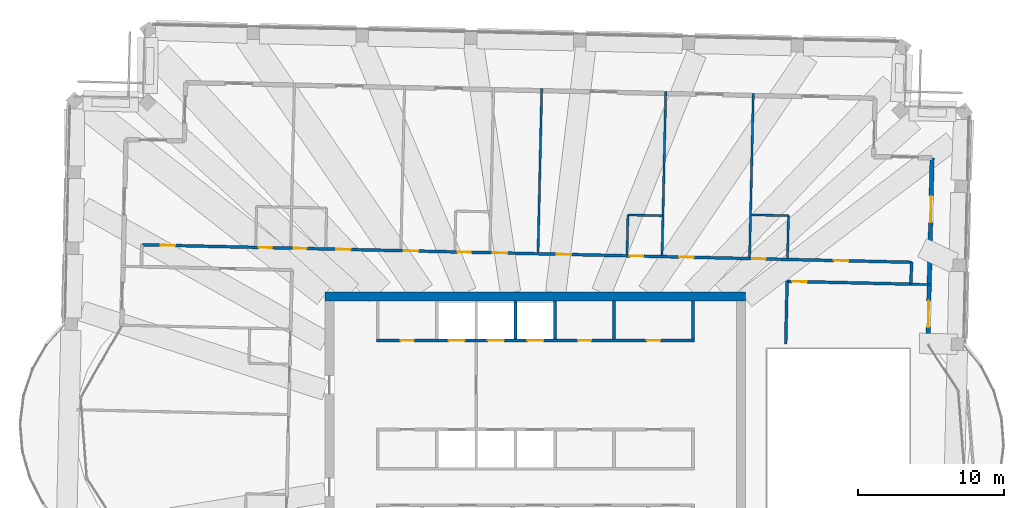
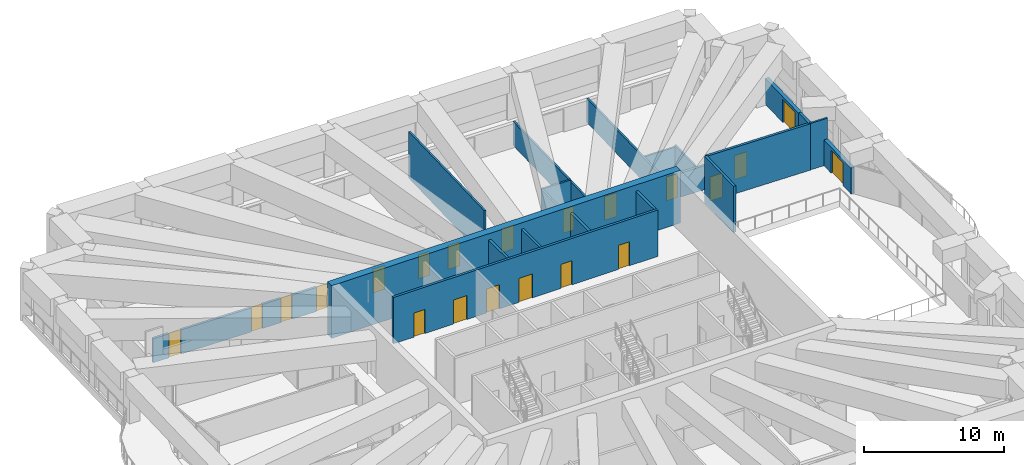
# One storey, part 13 of 21: 21 doors, 19 walls, 21 openings.
"""IFC4 building model written with IfcOpenShell, lengths in metres."""

from ifc_helpers import new_model, si_unit, direction, frame, frame_2d, origin, place, context, subcontext, project, spatial, rectangle, extrude, material, layer, layer_set, type_object, element, fill, save


model = new_model("IFC4")

# Units and contexts
model_context = context("Model", 3, precision=1e-05, world=origin(), true_north=direction((0.0, 1.0)))
body_context = subcontext(model_context, "Body", "Model", "MODEL_VIEW")
ifc_project = project(units=[si_unit("LENGTHUNIT", "METRE"), si_unit("AREAUNIT", "SQUARE_METRE"), si_unit("VOLUMEUNIT", "CUBIC_METRE"), si_unit("PLANEANGLEUNIT", "RADIAN"), si_unit("MASSUNIT", "GRAM", prefix="KILO")], contexts=[model_context])

# Site, building, storey
site_placement = place(None, origin())
site = spatial("IfcSite", under=ifc_project, at=site_placement, CompositionType="ELEMENT")
building_placement = place(site_placement, origin())
building = spatial("IfcBuilding", under=site, at=building_placement, Name="Mangrove Gate Tower", CompositionType="ELEMENT")
storey_placement = place(building_placement, frame((0.0, 0.0, 329.699951171875)))
storey = spatial("IfcBuildingStorey", under=building, at=storey_placement, Name="L84", CompositionType="ELEMENT", Elevation=329.699951171875)

# Walls
ifc_material_1 = material(Name="Concrete C32/40", Category="concrete")
ifc_layer_1 = layer(ifc_material_1, 0.199951171875)
ifc_layer_set_1 = layer_set([ifc_layer_1], Name="Core room wall 200 C32/40")
wall_type_1 = type_object("IfcWallType", Name="Core room wall 200 C32/40", PredefinedType="STANDARD", material=ifc_layer_set_1)
for number, where, z_axis, x_axis, name in (
    (1, (5.39990234375, 8.199951171875, 0.0), (0.0, 0.0, 1.0), (0.0, 1.0, 0.0), "WALL-L84-CORE-31"),
    (2, (10.800048828125, 8.199951171875, 0.0), (0.0, 0.0, 1.0), (0.0, 1.0, 0.0), "WALL-L84-CORE-32"),
):
    element("IfcWall", number, at=place(storey_placement, frame(where, z_axis=z_axis, x_axis=x_axis)), inside=storey, type_object=wall_type_1, Name=name, PredefinedType="STANDARD", context=body_context, shape_type="SweptSolid", body=[
        extrude(rectangle(XDim=2.60009765625, YDim=0.199951171875, at=frame_2d((1.300048828125, 0.0))), origin(), (0.0, 0.0, 1.0), 4.050048828125),
    ])

# Wall, openings, doors
ifc_material_2 = material(Name="Concrete C50/60", Category="concrete")
ifc_layer_2 = layer(ifc_material_2, 0.199951171875)
ifc_layer_set_2 = layer_set([ifc_layer_2], Name="Core shaft wall 200 C50/60")
wall_type_2 = type_object("IfcWallType", Name="Core shaft wall 200 C50/60", PredefinedType="SHEAR", material=ifc_layer_set_2)
wall_1_placement = place(storey_placement, frame((-10.89990234375, 8.10009765625, 0.0), z_axis=(0.0, 0.0, 1.0), x_axis=(1.0, 0.0, 0.0)))
wall_1 = element("IfcWall", 3, at=wall_1_placement, inside=storey, type_object=wall_type_2, Name="WALL-L84-CORE-8", PredefinedType="SHEAR", context=body_context, shape_type="SweptSolid", body=[
    extrude(rectangle(XDim=21.7998046875, YDim=0.199951171875, at=frame_2d((10.89990234375, 0.0))), origin(), (0.0, 0.0, 1.0), 4.050048828125),
])
opening_1_placement = place(wall_1_placement, frame((4.949951171875, 0.0, 0.0)))
opening_1 = element("IfcOpeningElement", 4, at=opening_1_placement, cuts=wall_1, Name="Opening LD", PredefinedType="OPENING", context=body_context, shape_type="SweptSolid", body=[
    extrude(rectangle(XDim=1.10009765625, YDim=2.10009765625, at=frame_2d((0.550048828125, 1.050048828125))), frame((0.0, 0.10986328125, 0.0), z_axis=(0.0, -1.0, 0.0), x_axis=(1.0, 0.0, 0.0)), (0.0, 0.0, 1.0), 0.219970703125),
])
opening_2_placement = place(wall_1_placement, frame((7.64990234375, 0.0, 0.0)))
opening_2 = element("IfcOpeningElement", 5, at=opening_2_placement, cuts=wall_1, Name="Opening LD", PredefinedType="OPENING", context=body_context, shape_type="SweptSolid", body=[
    extrude(rectangle(XDim=1.10009765625, YDim=2.10009765625, at=frame_2d((0.550048828125, 1.050048828125))), frame((0.0, 0.10986328125, 0.0), z_axis=(0.0, -1.0, 0.0), x_axis=(1.0, 0.0, 0.0)), (0.0, 0.0, 1.0), 0.219970703125),
])
opening_3_placement = place(wall_1_placement, frame((10.35009765625, 0.0, 0.0)))
opening_3 = element("IfcOpeningElement", 6, at=opening_3_placement, cuts=wall_1, Name="Opening LD", PredefinedType="OPENING", context=body_context, shape_type="SweptSolid", body=[
    extrude(rectangle(XDim=1.10009765625, YDim=2.10009765625, at=frame_2d((0.550048828125, 1.050048828125))), frame((0.0, 0.10986328125, 0.0), z_axis=(0.0, -1.0, 0.0), x_axis=(1.0, 0.0, 0.0)), (0.0, 0.0, 1.0), 0.219970703125),
])
opening_4_placement = place(wall_1_placement, frame((1.675048828125, 0.0, 0.0)))
opening_4 = element("IfcOpeningElement", 7, at=opening_4_placement, cuts=wall_1, Name="Opening RD", PredefinedType="OPENING", context=body_context, shape_type="SweptSolid", body=[
    extrude(rectangle(XDim=0.89990234375, YDim=2.10009765625, at=frame_2d((0.449951171875, 1.050048828125))), frame((0.0, 0.10986328125, 0.0), z_axis=(0.0, -1.0, 0.0), x_axis=(1.0, 0.0, 0.0)), (0.0, 0.0, 1.0), 0.219970703125),
])
opening_5_placement = place(wall_1_placement, frame((13.824951171875, 0.0, 0.0)))
opening_5 = element("IfcOpeningElement", 8, at=opening_5_placement, cuts=wall_1, Name="Opening RD", PredefinedType="OPENING", context=body_context, shape_type="SweptSolid", body=[
    extrude(rectangle(XDim=0.89990234375, YDim=2.10009765625, at=frame_2d((0.449951171875, 1.050048828125))), frame((0.0, 0.10986328125, 0.0), z_axis=(0.0, -1.0, 0.0), x_axis=(1.0, 0.0, 0.0)), (0.0, 0.0, 1.0), 0.219970703125),
])
opening_6_placement = place(wall_1_placement, frame((18.550048828125, 0.0, 0.0)))
opening_6 = element("IfcOpeningElement", 9, at=opening_6_placement, cuts=wall_1, Name="Opening KD", PredefinedType="OPENING", context=body_context, shape_type="SweptSolid", body=[
    extrude(rectangle(XDim=0.89990234375, YDim=2.10009765625, at=frame_2d((0.449951171875, 1.050048828125))), frame((0.0, 0.10986328125, 0.0), z_axis=(0.0, -1.0, 0.0), x_axis=(1.0, 0.0, 0.0)), (0.0, 0.0, 1.0), 0.219970703125),
])
ifc_material_3 = material(Name="Fire-rated steel door set", Category="steel")
door_type_1 = type_object("IfcDoorType", Name="Core room door FD30S 900x2100", OperationType="SINGLE_SWING_RIGHT", PredefinedType="DOOR", material=ifc_material_3)
door_1_placement = place(opening_6_placement, origin())
door_1 = element("IfcDoor", 10, at=door_1_placement, inside=storey, type_object=door_type_1, Name="Core room door Core WC", OperationType="SINGLE_SWING_RIGHT", OverallHeight=2.10009765625, OverallWidth=0.89990234375, PredefinedType="DOOR", context=body_context, shape_type="SweptSolid", body=[
    extrude(rectangle(XDim=0.89990234375, YDim=2.10009765625, at=frame_2d((0.449951171875, 1.050048828125))), frame((0.0, 0.02490234375, 0.0), z_axis=(0.0, -1.0, 0.0), x_axis=(1.0, 0.0, 0.0)), (0.0, 0.0, 1.0), 0.050048828125),
])
fill(opening_6, door_1)
ifc_material_4 = material(Name="Stainless steel 316", Category="steel")
door_type_2 = type_object("IfcDoorType", Name="Lift landing door 1100x2100", OperationType="SLIDING_TO_LEFT", PredefinedType="DOOR", material=ifc_material_4)
door_2_placement = place(opening_1_placement, origin())
door_2 = element("IfcDoor", 11, at=door_2_placement, inside=storey, type_object=door_type_2, Name="Landing door LD H04", OperationType="SLIDING_TO_LEFT", OverallHeight=2.10009765625, OverallWidth=1.10009765625, PredefinedType="DOOR", context=body_context, shape_type="SweptSolid", body=[
    extrude(rectangle(XDim=1.10009765625, YDim=2.10009765625, at=frame_2d((0.550048828125, 1.050048828125))), frame((0.0, 0.02490234375, 0.0), z_axis=(0.0, -1.0, 0.0), x_axis=(1.0, 0.0, 0.0)), (0.0, 0.0, 1.0), 0.050048828125),
])
fill(opening_1, door_2)
door_3_placement = place(opening_2_placement, origin())
door_3 = element("IfcDoor", 12, at=door_3_placement, inside=storey, type_object=door_type_2, Name="Landing door LD H05", OperationType="SLIDING_TO_LEFT", OverallHeight=2.10009765625, OverallWidth=1.10009765625, PredefinedType="DOOR", context=body_context, shape_type="SweptSolid", body=[
    extrude(rectangle(XDim=1.10009765625, YDim=2.10009765625, at=frame_2d((0.550048828125, 1.050048828125))), frame((0.0, 0.02490234375, 0.0), z_axis=(0.0, -1.0, 0.0), x_axis=(1.0, 0.0, 0.0)), (0.0, 0.0, 1.0), 0.050048828125),
])
fill(opening_2, door_3)
door_4_placement = place(opening_3_placement, origin())
door_4 = element("IfcDoor", 13, at=door_4_placement, inside=storey, type_object=door_type_2, Name="Landing door LD H06", OperationType="SLIDING_TO_LEFT", OverallHeight=2.10009765625, OverallWidth=1.10009765625, PredefinedType="DOOR", context=body_context, shape_type="SweptSolid", body=[
    extrude(rectangle(XDim=1.10009765625, YDim=2.10009765625, at=frame_2d((0.550048828125, 1.050048828125))), frame((0.0, 0.02490234375, 0.0), z_axis=(0.0, -1.0, 0.0), x_axis=(1.0, 0.0, 0.0)), (0.0, 0.0, 1.0), 0.050048828125),
])
fill(opening_3, door_4)
ifc_material_5 = material(Name="Fire-rated steel door set", Category="steel")
door_type_3 = type_object("IfcDoorType", Name="Riser door FD30S 900x2100", OperationType="SINGLE_SWING_LEFT", PredefinedType="DOOR", material=ifc_material_5)
door_5_placement = place(opening_4_placement, origin())
door_5 = element("IfcDoor", 14, at=door_5_placement, inside=storey, type_object=door_type_3, Name="Riser door Switch room", OperationType="SINGLE_SWING_LEFT", OverallHeight=2.10009765625, OverallWidth=0.89990234375, PredefinedType="DOOR", context=body_context, shape_type="SweptSolid", body=[
    extrude(rectangle(XDim=0.89990234375, YDim=2.10009765625, at=frame_2d((0.449951171875, 1.050048828125))), frame((0.0, 0.02490234375, 0.0), z_axis=(0.0, -1.0, 0.0), x_axis=(1.0, 0.0, 0.0)), (0.0, 0.0, 1.0), 0.050048828125),
])
fill(opening_4, door_5)
door_6_placement = place(opening_5_placement, origin())
door_6 = element("IfcDoor", 15, at=door_6_placement, inside=storey, type_object=door_type_3, Name="Riser door Comms room", OperationType="SINGLE_SWING_LEFT", OverallHeight=2.10009765625, OverallWidth=0.89990234375, PredefinedType="DOOR", context=body_context, shape_type="SweptSolid", body=[
    extrude(rectangle(XDim=0.89990234375, YDim=2.10009765625, at=frame_2d((0.449951171875, 1.050048828125))), frame((0.0, 0.02490234375, 0.0), z_axis=(0.0, -1.0, 0.0), x_axis=(1.0, 0.0, 0.0)), (0.0, 0.0, 1.0), 0.050048828125),
])
fill(opening_5, door_6)

# Walls
for number, where, z_axis, x_axis, name in (
    (16, (-1.35009765625, 8.199951171875, 0.0), (0.0, 0.0, 1.0), (0.0, 1.0, 0.0), "WALL-L84-CORE-29"),
    (17, (1.35009765625, 8.199951171875, 0.0), (0.0, 0.0, 1.0), (0.0, 1.0, 0.0), "WALL-L84-CORE-30"),
):
    element("IfcWall", number, at=place(storey_placement, frame(where, z_axis=z_axis, x_axis=x_axis)), inside=storey, type_object=wall_type_2, Name=name, PredefinedType="SHEAR", context=body_context, shape_type="SweptSolid", body=[
        extrude(rectangle(XDim=2.60009765625, YDim=0.199951171875, at=frame_2d((1.300048828125, 0.0))), origin(), (0.0, 0.0, 1.0), 4.050048828125),
    ])
ifc_material_6 = material(Name="Concrete C50/60", Category="concrete")
ifc_layer_3 = layer(ifc_material_6, 0.60009765625)
ifc_layer_set_3 = layer_set([ifc_layer_3], Name="Core wall 600 C50/60")
wall_type_3 = type_object("IfcWallType", Name="Core wall 600 C50/60", PredefinedType="SHEAR", material=ifc_layer_set_3)
wall_2_placement = place(storey_placement, frame((-14.39990234375, 11.10009765625, 0.0), z_axis=(0.0, 0.0, 1.0), x_axis=(1.0, 0.0, 0.0)))
element("IfcWall", 18, at=wall_2_placement, inside=storey, type_object=wall_type_3, Name="WALL-L84-CORE-2", PredefinedType="SHEAR", context=body_context, shape_type="SweptSolid", body=[
    extrude(rectangle(XDim=28.7998046875, YDim=0.60009765625, at=frame_2d((14.39990234375, 0.0))), origin(), (0.0, 0.0, 1.0), 4.60009765625),
])
ifc_material_7 = material(Name="Gypsum board on steel stud, EI 60", Category="steel")
ifc_layer_4 = layer(ifc_material_7, 0.199951171875)
ifc_layer_set_4 = layer_set([ifc_layer_4], Name="Corridor wall EI 60")
wall_type_4 = type_object("IfcWallType", Name="Corridor wall EI 60", PredefinedType="PARTITIONING", material=ifc_layer_set_4)
wall_3_placement = place(storey_placement, frame((17.155029296875, 7.845947265625, 0.0), z_axis=(0.0, 0.0, 1.0), x_axis=(0.022745886685, 0.999741278851, 0.0)))
element("IfcWall", 19, at=wall_3_placement, inside=storey, type_object=wall_type_4, Name="WALL-L84-033", PredefinedType="PARTITIONING", context=body_context, shape_type="SweptSolid", body=[
    extrude(rectangle(XDim=4.30419921875, YDim=0.199951171875, at=frame_2d((2.152099609375, 0.0))), origin(), (0.0, 0.0, 1.0), 4.050048828125),
])

# Wall, opening, door
wall_4_placement = place(storey_placement, frame((17.248046875, 12.14501953125, 0.0), z_axis=(0.0, 0.0, 1.0), x_axis=(0.999741583257, -0.022732503302, 0.0)))
wall_4 = element("IfcWall", 20, at=wall_4_placement, inside=storey, type_object=wall_type_4, Name="WALL-L84-037", PredefinedType="PARTITIONING", context=body_context, shape_type="SweptSolid", body=[
    extrude(rectangle(XDim=8.4951171875, YDim=0.199951171875, at=frame_2d((4.24755859375, 0.0))), origin(), (0.0, 0.0, 1.0), 4.050048828125),
])
opening_7_placement = place(wall_4_placement, frame((0.340087890625, 0.0, 0.0)))
opening_7 = element("IfcOpeningElement", 21, at=opening_7_placement, cuts=wall_4, Name="Opening AD", PredefinedType="OPENING", context=body_context, shape_type="SweptSolid", body=[
    extrude(rectangle(XDim=1.0, YDim=2.10009765625, at=frame_2d((0.5, 1.050048828125))), frame((0.0, 0.10986328125, 0.0), z_axis=(0.0, -1.0, 0.0), x_axis=(1.0, 0.0, 0.0)), (0.0, 0.0, 1.0), 0.219970703125),
])
ifc_material_8 = material(Name="Timber door leaf", Category="wood")
door_type_4 = type_object("IfcDoorType", Name="Amenity door 1000", OperationType="SINGLE_SWING_LEFT", PredefinedType="DOOR", material=ifc_material_8)
door_7_placement = place(opening_7_placement, origin())
door_7 = element("IfcDoor", 22, at=door_7_placement, inside=storey, type_object=door_type_4, Name="DOOR-L84-LNG-c3a", OperationType="SINGLE_SWING_LEFT", OverallHeight=2.10009765625, OverallWidth=1.0, PredefinedType="DOOR", context=body_context, shape_type="SweptSolid", body=[
    extrude(rectangle(XDim=1.0, YDim=2.10009765625, at=frame_2d((0.5, 1.050048828125))), frame((0.0, 0.02490234375, 0.0), z_axis=(0.0, -1.0, 0.0), x_axis=(1.0, 0.0, 0.0)), (0.0, 0.0, 1.0), 0.050048828125),
])
fill(opening_7, door_7)

# Wall
wall_5_placement = place(storey_placement, frame((25.740966796875, 11.9560546875, 0.0), z_axis=(0.0, 0.0, 1.0), x_axis=(0.022617910375, 0.999744182344, 0.0)))
element("IfcWall", 23, at=wall_5_placement, inside=storey, type_object=wall_type_4, Name="WALL-L84-040", PredefinedType="PARTITIONING", context=body_context, shape_type="SweptSolid", body=[
    extrude(rectangle(XDim=1.50048828125, YDim=0.199951171875, at=frame_2d((0.750244140625, 0.0))), origin(), (0.0, 0.0, 1.0), 4.050048828125),
])

# Wall, openings, doors
wall_6_placement = place(storey_placement, frame((-26.9619140625, 14.64892578125, 0.0), z_axis=(0.0, 0.0, 1.0), x_axis=(0.999742499365, -0.022692178484, 0.0)))
wall_6 = element("IfcWall", 24, at=wall_6_placement, inside=storey, type_object=wall_type_4, Name="WALL-L84-041", PredefinedType="PARTITIONING", context=body_context, shape_type="SweptSolid", body=[
    extrude(rectangle(XDim=52.75048828125, YDim=0.199951171875, at=frame_2d((26.375244140625, 0.0))), origin(), (0.0, 0.0, 1.0), 2.10009765625),
])
opening_8_placement = place(wall_6_placement, frame((47.426025390625, 0.0, 0.0)))
opening_8 = element("IfcOpeningElement", 25, at=opening_8_placement, cuts=wall_6, Name="Opening AD", PredefinedType="OPENING", context=body_context, shape_type="SweptSolid", body=[
    extrude(rectangle(XDim=1.0, YDim=2.10009765625, at=frame_2d((0.5, 1.050048828125))), frame((0.0, 0.10986328125, 0.0), z_axis=(0.0, -1.0, 0.0), x_axis=(1.0, 0.0, 0.0)), (0.0, 0.0, 1.0), 0.219970703125),
])
opening_9_placement = place(wall_6_placement, frame((41.85009765625, 0.0, 0.0)))
opening_9 = element("IfcOpeningElement", 26, at=opening_9_placement, cuts=wall_6, Name="Opening SD", PredefinedType="OPENING", context=body_context, shape_type="SweptSolid", body=[
    extrude(rectangle(XDim=0.89990234375, YDim=2.10009765625, at=frame_2d((0.449951171875, 1.050048828125))), frame((0.0, 0.10986328125, 0.0), z_axis=(0.0, -1.0, 0.0), x_axis=(1.0, 0.0, 0.0)), (0.0, 0.0, 1.0), 0.219970703125),
])
opening_10_placement = place(wall_6_placement, frame((36.823974609375, 0.0, 0.0)))
opening_10 = element("IfcOpeningElement", 27, at=opening_10_placement, cuts=wall_6, Name="Opening AD", PredefinedType="OPENING", context=body_context, shape_type="SweptSolid", body=[
    extrude(rectangle(XDim=1.0, YDim=2.10009765625, at=frame_2d((0.5, 1.050048828125))), frame((0.0, 0.10986328125, 0.0), z_axis=(0.0, -1.0, 0.0), x_axis=(1.0, 0.0, 0.0)), (0.0, 0.0, 1.0), 0.219970703125),
])
opening_11_placement = place(wall_6_placement, frame((28.43603515625, 0.0, 0.0)))
opening_11 = element("IfcOpeningElement", 28, at=opening_11_placement, cuts=wall_6, Name="Opening AD", PredefinedType="OPENING", context=body_context, shape_type="SweptSolid", body=[
    extrude(rectangle(XDim=1.0, YDim=2.10009765625, at=frame_2d((0.5, 1.050048828125))), frame((0.0, 0.10986328125, 0.0), z_axis=(0.0, -1.0, 0.0), x_axis=(1.0, 0.0, 0.0)), (0.0, 0.0, 1.0), 0.219970703125),
])
opening_12_placement = place(wall_6_placement, frame((33.449951171875, 0.0, 0.0)))
opening_12 = element("IfcOpeningElement", 29, at=opening_12_placement, cuts=wall_6, Name="Opening SD", PredefinedType="OPENING", context=body_context, shape_type="SweptSolid", body=[
    extrude(rectangle(XDim=0.89990234375, YDim=2.10009765625, at=frame_2d((0.449951171875, 1.050048828125))), frame((0.0, 0.10986328125, 0.0), z_axis=(0.0, -1.0, 0.0), x_axis=(1.0, 0.0, 0.0)), (0.0, 0.0, 1.0), 0.219970703125),
])
opening_13_placement = place(wall_6_placement, frame((24.050048828125, 0.0, 0.0)))
opening_13 = element("IfcOpeningElement", 30, at=opening_13_placement, cuts=wall_6, Name="Opening AD", PredefinedType="OPENING", context=body_context, shape_type="SweptSolid", body=[
    extrude(rectangle(XDim=1.0, YDim=2.10009765625, at=frame_2d((0.5, 1.050048828125))), frame((0.0, 0.10986328125, 0.0), z_axis=(0.0, -1.0, 0.0), x_axis=(1.0, 0.0, 0.0)), (0.0, 0.0, 1.0), 0.219970703125),
])
opening_14_placement = place(wall_6_placement, frame((17.949951171875, 0.0, 0.0)))
opening_14 = element("IfcOpeningElement", 31, at=opening_14_placement, cuts=wall_6, Name="Opening AD", PredefinedType="OPENING", context=body_context, shape_type="SweptSolid", body=[
    extrude(rectangle(XDim=1.0, YDim=2.10009765625, at=frame_2d((0.5, 1.050048828125))), frame((0.0, 0.10986328125, 0.0), z_axis=(0.0, -1.0, 0.0), x_axis=(1.0, 0.0, 0.0)), (0.0, 0.0, 1.0), 0.219970703125),
])
opening_15_placement = place(wall_6_placement, frame((21.64990234375, 0.0, 0.0)))
opening_15 = element("IfcOpeningElement", 32, at=opening_15_placement, cuts=wall_6, Name="Opening SD", PredefinedType="OPENING", context=body_context, shape_type="SweptSolid", body=[
    extrude(rectangle(XDim=0.89990234375, YDim=2.10009765625, at=frame_2d((0.449951171875, 1.050048828125))), frame((0.0, 0.10986328125, 0.0), z_axis=(0.0, -1.0, 0.0), x_axis=(1.0, 0.0, 0.0)), (0.0, 0.0, 1.0), 0.219970703125),
])
opening_16_placement = place(wall_6_placement, frame((13.31396484375, 0.0, 0.0)))
opening_16 = element("IfcOpeningElement", 33, at=opening_16_placement, cuts=wall_6, Name="Opening AD", PredefinedType="OPENING", context=body_context, shape_type="SweptSolid", body=[
    extrude(rectangle(XDim=1.0, YDim=2.10009765625, at=frame_2d((0.5, 1.050048828125))), frame((0.0, 0.10986328125, 0.0), z_axis=(0.0, -1.0, 0.0), x_axis=(1.0, 0.0, 0.0)), (0.0, 0.0, 1.0), 0.219970703125),
])
opening_17_placement = place(wall_6_placement, frame((10.39990234375, 0.0, 0.0)))
opening_17 = element("IfcOpeningElement", 34, at=opening_17_placement, cuts=wall_6, Name="Opening SD", PredefinedType="OPENING", context=body_context, shape_type="SweptSolid", body=[
    extrude(rectangle(XDim=0.89990234375, YDim=2.10009765625, at=frame_2d((0.449951171875, 1.050048828125))), frame((0.0, 0.10986328125, 0.0), z_axis=(0.0, -1.0, 0.0), x_axis=(1.0, 0.0, 0.0)), (0.0, 0.0, 1.0), 0.219970703125),
])
opening_18_placement = place(wall_6_placement, frame((1.2880859375, 0.0, 0.0)))
opening_18 = element("IfcOpeningElement", 35, at=opening_18_placement, cuts=wall_6, Name="Opening AD", PredefinedType="OPENING", context=body_context, shape_type="SweptSolid", body=[
    extrude(rectangle(XDim=1.0, YDim=2.10009765625, at=frame_2d((0.5, 1.050048828125))), frame((0.0, 0.10986328125, 0.0), z_axis=(0.0, -1.0, 0.0), x_axis=(1.0, 0.0, 0.0)), (0.0, 0.0, 1.0), 0.219970703125),
])
opening_19_placement = place(wall_6_placement, frame((8.0, 0.0, 0.0)))
opening_19 = element("IfcOpeningElement", 36, at=opening_19_placement, cuts=wall_6, Name="Opening SD", PredefinedType="OPENING", context=body_context, shape_type="SweptSolid", body=[
    extrude(rectangle(XDim=0.89990234375, YDim=2.10009765625, at=frame_2d((0.449951171875, 1.050048828125))), frame((0.0, 0.10986328125, 0.0), z_axis=(0.0, -1.0, 0.0), x_axis=(1.0, 0.0, 0.0)), (0.0, 0.0, 1.0), 0.219970703125),
])
door_8_placement = place(opening_8_placement, origin())
door_8 = element("IfcDoor", 37, at=door_8_placement, inside=storey, type_object=door_type_4, Name="DOOR-L84-LNG-c3b", OperationType="SINGLE_SWING_RIGHT", OverallHeight=2.10009765625, OverallWidth=1.0, PredefinedType="DOOR", context=body_context, shape_type="SweptSolid", body=[
    extrude(rectangle(XDim=1.0, YDim=2.10009765625, at=frame_2d((0.5, 1.050048828125))), frame((0.0, 0.02490234375, 0.0), z_axis=(0.0, -1.0, 0.0), x_axis=(1.0, 0.0, 0.0)), (0.0, 0.0, 1.0), 0.050048828125),
])
fill(opening_8, door_8)
door_9_placement = place(opening_10_placement, origin())
door_9 = element("IfcDoor", 38, at=door_9_placement, inside=storey, type_object=door_type_4, Name="DOOR-L84-KIT-c3a", OperationType="SINGLE_SWING_LEFT", OverallHeight=2.10009765625, OverallWidth=1.0, PredefinedType="DOOR", context=body_context, shape_type="SweptSolid", body=[
    extrude(rectangle(XDim=1.0, YDim=2.10009765625, at=frame_2d((0.5, 1.050048828125))), frame((0.0, 0.02490234375, 0.0), z_axis=(0.0, -1.0, 0.0), x_axis=(1.0, 0.0, 0.0)), (0.0, 0.0, 1.0), 0.050048828125),
])
fill(opening_10, door_9)
door_10_placement = place(opening_11_placement, origin())
door_10 = element("IfcDoor", 39, at=door_10_placement, inside=storey, type_object=door_type_4, Name="DOOR-L84-LNG-c3c", OperationType="SINGLE_SWING_RIGHT", OverallHeight=2.10009765625, OverallWidth=1.0, PredefinedType="DOOR", context=body_context, shape_type="SweptSolid", body=[
    extrude(rectangle(XDim=1.0, YDim=2.10009765625, at=frame_2d((0.5, 1.050048828125))), frame((0.0, 0.02490234375, 0.0), z_axis=(0.0, -1.0, 0.0), x_axis=(1.0, 0.0, 0.0)), (0.0, 0.0, 1.0), 0.050048828125),
])
fill(opening_11, door_10)
door_11_placement = place(opening_13_placement, origin())
door_11 = element("IfcDoor", 40, at=door_11_placement, inside=storey, type_object=door_type_4, Name="DOOR-L84-STU-c4a", OperationType="SINGLE_SWING_LEFT", OverallHeight=2.10009765625, OverallWidth=1.0, PredefinedType="DOOR", context=body_context, shape_type="SweptSolid", body=[
    extrude(rectangle(XDim=1.0, YDim=2.10009765625, at=frame_2d((0.5, 1.050048828125))), frame((0.0, 0.02490234375, 0.0), z_axis=(0.0, -1.0, 0.0), x_axis=(1.0, 0.0, 0.0)), (0.0, 0.0, 1.0), 0.050048828125),
])
fill(opening_13, door_11)
door_12_placement = place(opening_14_placement, origin())
door_12 = element("IfcDoor", 41, at=door_12_placement, inside=storey, type_object=door_type_4, Name="DOOR-L84-KIT-c4a", OperationType="SINGLE_SWING_RIGHT", OverallHeight=2.10009765625, OverallWidth=1.0, PredefinedType="DOOR", context=body_context, shape_type="SweptSolid", body=[
    extrude(rectangle(XDim=1.0, YDim=2.10009765625, at=frame_2d((0.5, 1.050048828125))), frame((0.0, 0.02490234375, 0.0), z_axis=(0.0, -1.0, 0.0), x_axis=(1.0, 0.0, 0.0)), (0.0, 0.0, 1.0), 0.050048828125),
])
fill(opening_14, door_12)
door_13_placement = place(opening_16_placement, origin())
door_13 = element("IfcDoor", 42, at=door_13_placement, inside=storey, type_object=door_type_4, Name="DOOR-L84-GAM-c4a", OperationType="SINGLE_SWING_LEFT", OverallHeight=2.10009765625, OverallWidth=1.0, PredefinedType="DOOR", context=body_context, shape_type="SweptSolid", body=[
    extrude(rectangle(XDim=1.0, YDim=2.10009765625, at=frame_2d((0.5, 1.050048828125))), frame((0.0, 0.02490234375, 0.0), z_axis=(0.0, -1.0, 0.0), x_axis=(1.0, 0.0, 0.0)), (0.0, 0.0, 1.0), 0.050048828125),
])
fill(opening_16, door_13)
door_14_placement = place(opening_18_placement, origin())
door_14 = element("IfcDoor", 43, at=door_14_placement, inside=storey, type_object=door_type_4, Name="DOOR-L84-GAM-c4b", OperationType="SINGLE_SWING_RIGHT", OverallHeight=2.10009765625, OverallWidth=1.0, PredefinedType="DOOR", context=body_context, shape_type="SweptSolid", body=[
    extrude(rectangle(XDim=1.0, YDim=2.10009765625, at=frame_2d((0.5, 1.050048828125))), frame((0.0, 0.02490234375, 0.0), z_axis=(0.0, -1.0, 0.0), x_axis=(1.0, 0.0, 0.0)), (0.0, 0.0, 1.0), 0.050048828125),
])
fill(opening_18, door_14)
ifc_material_9 = material(Name="Timber door leaf", Category="wood")
door_type_5 = type_object("IfcDoorType", Name="Service room door 900", OperationType="SINGLE_SWING_LEFT", PredefinedType="DOOR", material=ifc_material_9)
door_15_placement = place(opening_9_placement, origin())
door_15 = element("IfcDoor", 44, at=door_15_placement, inside=storey, type_object=door_type_5, Name="DOOR-L84-AWC-c3a", OperationType="SINGLE_SWING_RIGHT", OverallHeight=2.10009765625, OverallWidth=0.89990234375, PredefinedType="DOOR", context=body_context, shape_type="SweptSolid", body=[
    extrude(rectangle(XDim=0.89990234375, YDim=2.10009765625, at=frame_2d((0.449951171875, 1.050048828125))), frame((0.0, 0.02490234375, 0.0), z_axis=(0.0, -1.0, 0.0), x_axis=(1.0, 0.0, 0.0)), (0.0, 0.0, 1.0), 0.050048828125),
])
fill(opening_9, door_15)
door_16_placement = place(opening_12_placement, origin())
door_16 = element("IfcDoor", 45, at=door_16_placement, inside=storey, type_object=door_type_5, Name="DOOR-L84-WC-c3a", OperationType="SINGLE_SWING_LEFT", OverallHeight=2.10009765625, OverallWidth=0.89990234375, PredefinedType="DOOR", context=body_context, shape_type="SweptSolid", body=[
    extrude(rectangle(XDim=0.89990234375, YDim=2.10009765625, at=frame_2d((0.449951171875, 1.050048828125))), frame((0.0, 0.02490234375, 0.0), z_axis=(0.0, -1.0, 0.0), x_axis=(1.0, 0.0, 0.0)), (0.0, 0.0, 1.0), 0.050048828125),
])
fill(opening_12, door_16)
door_17_placement = place(opening_15_placement, origin())
door_17 = element("IfcDoor", 46, at=door_17_placement, inside=storey, type_object=door_type_5, Name="DOOR-L84-WC-c4a", OperationType="SINGLE_SWING_RIGHT", OverallHeight=2.10009765625, OverallWidth=0.89990234375, PredefinedType="DOOR", context=body_context, shape_type="SweptSolid", body=[
    extrude(rectangle(XDim=0.89990234375, YDim=2.10009765625, at=frame_2d((0.449951171875, 1.050048828125))), frame((0.0, 0.02490234375, 0.0), z_axis=(0.0, -1.0, 0.0), x_axis=(1.0, 0.0, 0.0)), (0.0, 0.0, 1.0), 0.050048828125),
])
fill(opening_15, door_17)
door_18_placement = place(opening_17_placement, origin())
door_18 = element("IfcDoor", 47, at=door_18_placement, inside=storey, type_object=door_type_5, Name="DOOR-L84-WC-c4b", OperationType="SINGLE_SWING_LEFT", OverallHeight=2.10009765625, OverallWidth=0.89990234375, PredefinedType="DOOR", context=body_context, shape_type="SweptSolid", body=[
    extrude(rectangle(XDim=0.89990234375, YDim=2.10009765625, at=frame_2d((0.449951171875, 1.050048828125))), frame((0.0, 0.02490234375, 0.0), z_axis=(0.0, -1.0, 0.0), x_axis=(1.0, 0.0, 0.0)), (0.0, 0.0, 1.0), 0.050048828125),
])
fill(opening_17, door_18)
door_19_placement = place(opening_19_placement, origin())
door_19 = element("IfcDoor", 48, at=door_19_placement, inside=storey, type_object=door_type_5, Name="DOOR-L84-WC-c4c", OperationType="SINGLE_SWING_RIGHT", OverallHeight=2.10009765625, OverallWidth=0.89990234375, PredefinedType="DOOR", context=body_context, shape_type="SweptSolid", body=[
    extrude(rectangle(XDim=0.89990234375, YDim=2.10009765625, at=frame_2d((0.449951171875, 1.050048828125))), frame((0.0, 0.02490234375, 0.0), z_axis=(0.0, -1.0, 0.0), x_axis=(1.0, 0.0, 0.0)), (0.0, 0.0, 1.0), 0.050048828125),
])
fill(opening_19, door_19)

ifc_material_10 = material(Name="Limestone", Category="masonry")
ifc_layer_5 = layer(ifc_material_10, 0.0400390625, Name="Limestone cladding")
ifc_material_11 = material(Name="Ventilated air gap")
ifc_layer_6 = layer(ifc_material_11, 0.0400390625, Name="Ventilated cavity")
ifc_material_12 = material(Name="Mineral wool insulation")
ifc_layer_7 = layer(ifc_material_12, 0.06005859375, Name="Insulation")
ifc_material_13 = material(Name="Breather membrane")
ifc_layer_8 = layer(ifc_material_13, 0.001953125, Name="Breather membrane")
ifc_material_14 = material(Name="Concrete C20/25 blockwork", Category="masonry")
ifc_layer_9 = layer(ifc_material_14, 0.14990234375, Name="Blockwork backing wall")
ifc_material_15 = material(Name="Gypsum plaster")
ifc_layer_10 = layer(ifc_material_15, 0.008056640625, Name="Internal plaster")
ifc_layer_set_5 = layer_set([ifc_layer_5, ifc_layer_6, ifc_layer_7, ifc_layer_8, ifc_layer_9, ifc_layer_10], Name="External wall 300 limestone cladding")
wall_type_5 = type_object("IfcWallType", Name="External wall 300 limestone cladding", PredefinedType="SOLIDWALL", material=ifc_layer_set_5)
wall_7_placement = place(storey_placement, frame((26.89697265625, 7.825927734375, 0.0), z_axis=(0.0, 0.0, 1.0), x_axis=(0.022695801562, 0.999742417121, 0.0)))
wall_7 = element("IfcWall", 49, at=wall_7_placement, inside=storey, type_object=wall_type_5, Name="WALL-L84-E2", PredefinedType="SOLIDWALL", context=body_context, shape_type="SweptSolid", body=[
    extrude(rectangle(XDim=12.779296875, YDim=0.300048828125, at=frame_2d((6.3896484375, 0.0))), origin(), (0.0, 0.0, 1.0), 2.25),
])
opening_20_placement = place(wall_7_placement, frame((1.178955078125, 0.0, 0.0)))
opening_20 = element("IfcOpeningElement", 50, at=opening_20_placement, cuts=wall_7, Name="Opening TD2", PredefinedType="OPENING", context=body_context, shape_type="SweptSolid", body=[
    extrude(rectangle(XDim=1.800048828125, YDim=2.0, at=frame_2d((0.89990234375, 1.0))), frame((0.0, 0.159912109375, 0.0), z_axis=(0.0, -1.0, 0.0), x_axis=(1.0, 0.0, 0.0)), (0.0, 0.0, 1.0), 0.320068359375),
])
opening_21_placement = place(wall_7_placement, frame((8.365966796875, 0.0, 0.0)))
opening_21 = element("IfcOpeningElement", 51, at=opening_21_placement, cuts=wall_7, Name="Opening TD2", PredefinedType="OPENING", context=body_context, shape_type="SweptSolid", body=[
    extrude(rectangle(XDim=1.800048828125, YDim=2.0, at=frame_2d((0.89990234375, 1.0))), frame((0.0, 0.159912109375, 0.0), z_axis=(0.0, -1.0, 0.0), x_axis=(1.0, 0.0, 0.0)), (0.0, 0.0, 1.0), 0.320068359375),
])
ifc_material_16 = material(Name="Aluminium frame with laminated clear glass", Category="aluminium")
door_type_6 = type_object("IfcDoorType", Name="Terrace door 1800x2000", OperationType="DOUBLE_DOOR_SINGLE_SWING", PredefinedType="DOOR", material=ifc_material_16)
door_20_placement = place(opening_20_placement, origin())
door_20 = element("IfcDoor", 52, at=door_20_placement, inside=storey, type_object=door_type_6, Name="DOOR-L84-E2-1", OperationType="DOUBLE_DOOR_SINGLE_SWING", OverallHeight=2.0, OverallWidth=1.800048828125, PredefinedType="DOOR", context=body_context, shape_type="SweptSolid", body=[
    extrude(rectangle(XDim=1.800048828125, YDim=2.0, at=frame_2d((0.89990234375, 1.0))), frame((0.0, 0.02490234375, 0.0), z_axis=(0.0, -1.0, 0.0), x_axis=(1.0, 0.0, 0.0)), (0.0, 0.0, 1.0), 0.050048828125),
])
fill(opening_20, door_20)
door_21_placement = place(opening_21_placement, origin())
door_21 = element("IfcDoor", 53, at=door_21_placement, inside=storey, type_object=door_type_6, Name="DOOR-L84-E2-2", OperationType="DOUBLE_DOOR_SINGLE_SWING", OverallHeight=2.0, OverallWidth=1.800048828125, PredefinedType="DOOR", context=body_context, shape_type="SweptSolid", body=[
    extrude(rectangle(XDim=1.800048828125, YDim=2.0, at=frame_2d((0.89990234375, 1.0))), frame((0.0, 0.02490234375, 0.0), z_axis=(0.0, -1.0, 0.0), x_axis=(1.0, 0.0, 0.0)), (0.0, 0.0, 1.0), 0.050048828125),
])
fill(opening_21, door_21)

# Walls
ifc_material_17 = material(Name="Gypsum board on steel stud, EI 60", Category="steel")
ifc_layer_11 = layer(ifc_material_17, 0.14990234375)
ifc_layer_set_6 = layer_set([ifc_layer_11], Name="Party wall 150 EI 60")
wall_type_6 = type_object("IfcWallType", Name="Party wall 150 EI 60", PredefinedType="PARTITIONING", material=ifc_layer_set_6)
wall_8_placement = place(storey_placement, frame((25.740966796875, 11.951904296875, 0.0), z_axis=(0.0, 0.0, 1.0), x_axis=(0.999754467928, -0.022158606881, 0.0)))
element("IfcWall", 54, at=wall_8_placement, inside=storey, type_object=wall_type_6, Name="WALL-L84-038", PredefinedType="PARTITIONING", context=body_context, shape_type="SweptSolid", body=[
    extrude(rectangle(XDim=1.399169921875, YDim=0.14990234375, at=frame_2d((0.69970703125, 0.0))), origin(), (0.0, 0.0, 1.0), 4.050048828125),
])
wall_9_placement = place(storey_placement, frame((0.18408203125, 14.136962890625, 0.0), z_axis=(0.0, 0.0, 1.0), x_axis=(0.022617662725, 0.999744187947, 0.0)))
element("IfcWall", 55, at=wall_9_placement, inside=storey, type_object=wall_type_6, Name="WALL-L84-048", PredefinedType="PARTITIONING", context=body_context, shape_type="SweptSolid", body=[
    extrude(rectangle(XDim=11.22607421875, YDim=0.14990234375, at=frame_2d((5.613037109375, 0.0))), origin(), (0.0, 0.0, 1.0), 4.050048828125),
])
wall_10_placement = place(storey_placement, frame((6.281982421875, 13.998046875, 0.0), z_axis=(0.0, 0.0, 1.0), x_axis=(0.022600248254, 0.99974458177, 0.0)))
element("IfcWall", 56, at=wall_10_placement, inside=storey, type_object=wall_type_6, Name="WALL-L84-049", PredefinedType="PARTITIONING", context=body_context, shape_type="SweptSolid", body=[
    extrude(rectangle(XDim=2.70068359375, YDim=0.14990234375, at=frame_2d((1.350341796875, 0.0))), origin(), (0.0, 0.0, 1.0), 2.25),
])
for number, where, z_axis, x_axis, name in (
    (57, (8.681884765625, 13.944091796875, 0.0), (0.0, 0.0, 1.0), (0.022639891577, 0.999743684806, 0.0), "WALL-L84-050"),
    (58, (14.679931640625, 13.80810546875, 0.0), (0.0, 0.0, 1.0), (0.022726839589, 0.999741712025, 0.0), "WALL-L84-051"),
):
    element("IfcWall", number, at=place(storey_placement, frame(where, z_axis=z_axis, x_axis=x_axis)), inside=storey, type_object=wall_type_6, Name=name, PredefinedType="PARTITIONING", context=body_context, shape_type="SweptSolid", body=[
        extrude(rectangle(XDim=11.225830078125, YDim=0.14990234375, at=frame_2d((5.61279296875, 0.0))), origin(), (0.0, 0.0, 1.0), 2.10009765625),
    ])
wall_11_placement = place(storey_placement, frame((17.279052734375, 13.7490234375, 0.0), z_axis=(0.0, 0.0, 1.0), x_axis=(0.022732880677, 0.999741574676, 0.0)))
element("IfcWall", 59, at=wall_11_placement, inside=storey, type_object=wall_type_6, Name="WALL-L84-052", PredefinedType="PARTITIONING", context=body_context, shape_type="SweptSolid", body=[
    extrude(rectangle(XDim=2.899658203125, YDim=0.14990234375, at=frame_2d((1.44970703125, 0.0))), origin(), (0.0, 0.0, 1.0), 2.25),
])
wall_12_placement = place(storey_placement, frame((6.343017578125, 16.694091796875, 0.0), z_axis=(0.0, 0.0, 1.0), x_axis=(0.999740478815, -0.022781023197, 0.0)))
element("IfcWall", 60, at=wall_12_placement, inside=storey, type_object=wall_type_6, Name="WALL-L84-055", PredefinedType="PARTITIONING", context=body_context, shape_type="SweptSolid", body=[
    extrude(rectangle(XDim=2.325439453125, YDim=0.14990234375, at=frame_2d((1.16259765625, 0.0))), origin(), (0.0, 0.0, 1.0), 2.25),
])
wall_13_placement = place(storey_placement, frame((14.821044921875, 16.700927734375, 0.0), z_axis=(0.0, 0.0, 1.0), x_axis=(0.9997461113, -0.022532486354, 0.0)))
element("IfcWall", 61, at=wall_13_placement, inside=storey, type_object=wall_type_6, Name="WALL-L84-056", PredefinedType="PARTITIONING", context=body_context, shape_type="SweptSolid", body=[
    extrude(rectangle(XDim=2.524658203125, YDim=0.14990234375, at=frame_2d((1.26220703125, 0.0))), origin(), (0.0, 0.0, 1.0), 2.10009765625),
])

save(model, "model.ifc")
